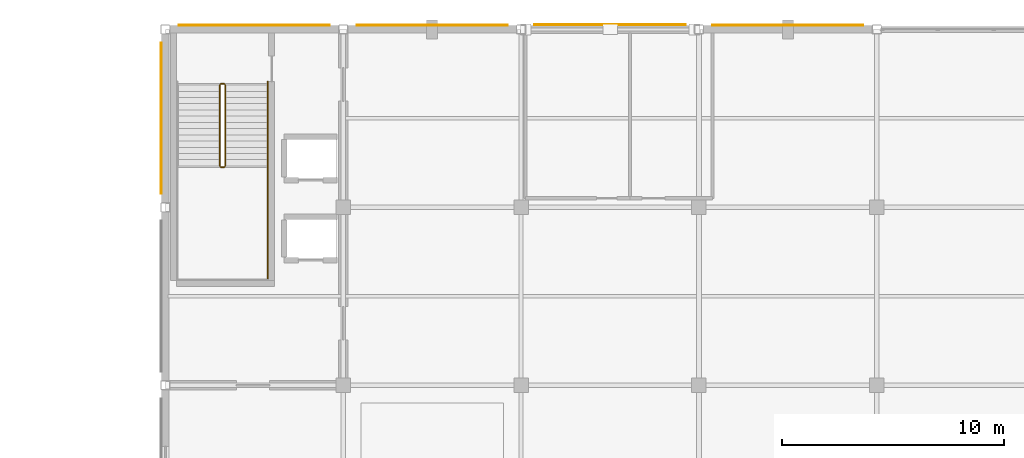
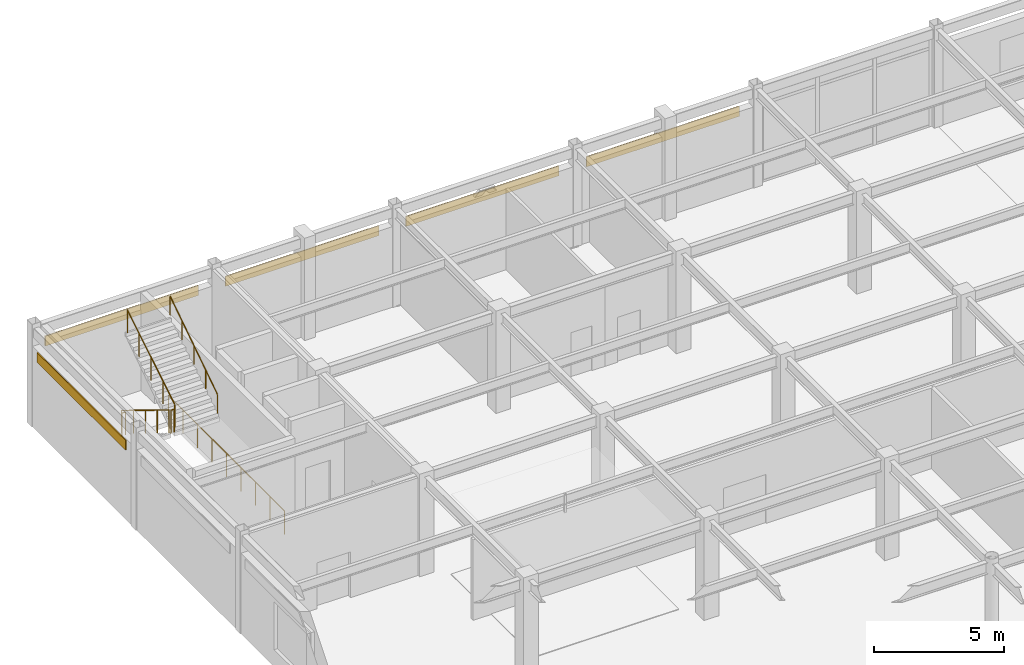
# One storey, part 110 of 117: 6 railings, 5 coverings.
"""IFC4 building model written with IfcOpenShell, lengths in metres."""

import ifcopenshell
import ifcopenshell.guid

model = None  # the IFC model being written
_history = None  # IfcOwnerHistory: only IFC2X3 demands one
_inside = {}  # id of a spatial element -> (the spatial element, [elements in it])
_under = {}  # id of a project, library or spatial element -> (it, [spatial elements below it])
_declared = {}  # id of a project -> (the project, [libraries it declares])
_typed = {}  # id of a type object -> (the type object, [elements of that type])
_made_of = {}  # id of a material, layer set ... -> (it, [elements and type objects made of it])


def new_model(schema):
    """Start an empty IFC model of exactly this schema.

    Asked for "IFC4X3", IfcOpenShell would pick the latest addendum, in which some entities
    have other attributes; the version numbers below select the first issue.
    IFC2X3 requires an IfcOwnerHistory on every rooted entity: one is made here for all.
    """
    global model, _history
    if schema == "IFC4X3":
        model = ifcopenshell.file(schema_version=(4, 3, 0, 0))
    else:
        model = ifcopenshell.file(schema=schema)
    _inside.clear()
    _under.clear()
    _declared.clear()
    _typed.clear()
    _made_of.clear()
    _history = None
    if model.schema == "IFC2X3":
        org = make("IfcOrganization", Name="unknown")
        user = make(
            "IfcPersonAndOrganization",
            ThePerson=make("IfcPerson", FamilyName="unknown"),
            TheOrganization=org,
        )
        app = make(
            "IfcApplication",
            ApplicationDeveloper=org,
            Version="unknown",
            ApplicationFullName="unknown",
            ApplicationIdentifier="unknown",
        )
        _history = make(
            "IfcOwnerHistory",
            OwningUser=user,
            OwningApplication=app,
            ChangeAction="ADDED",
            CreationDate=0,
        )
    return model


def make(cls, **values):
    """One entity of the class cls with the attributes given. An attribute that is None is left unset."""
    return model.create_entity(
        cls, **{name: value for name, value in values.items() if value is not None}
    )


def rooted(cls, **values):
    """An entity with a GlobalId (a new one), such as an element, a storey or a relation."""
    return make(cls, GlobalId=ifcopenshell.guid.new(), OwnerHistory=_history, **values)


def si_unit(unit_type, name, prefix=None):
    """IfcSIUnit, for example si_unit("LENGTHUNIT", "METRE", prefix="MILLI")."""
    return make("IfcSIUnit", UnitType=unit_type, Prefix=prefix, Name=name)


def assignment(units):
    """IfcUnitAssignment: the units of a project."""
    return None if units is None else make("IfcUnitAssignment", Units=units)


def point(xyz):
    """IfcCartesianPoint."""
    return None if xyz is None else make("IfcCartesianPoint", Coordinates=xyz)


def direction(xyz):
    """IfcDirection."""
    return None if xyz is None else make("IfcDirection", DirectionRatios=xyz)


def frame(location, z_axis=None, x_axis=None):
    """IfcAxis2Placement3D, a coordinate frame: its origin and axes. An axis left out is left unset."""
    return make(
        "IfcAxis2Placement3D",
        Location=point(location),
        Axis=direction(z_axis),
        RefDirection=direction(x_axis),
    )


def frame_2d(location, x_axis=None):
    """IfcAxis2Placement2D, a coordinate frame in the plane: its origin and x axis."""
    return make(
        "IfcAxis2Placement2D", Location=point(location), RefDirection=direction(x_axis)
    )


def origin():
    """The frame at (0, 0, 0) with its axes left unset."""
    return frame((0.0, 0.0, 0.0))


def origin_2d():
    """The frame at (0, 0) in the plane with its x axis left unset."""
    return frame_2d((0.0, 0.0))


def place(relative_to, where):
    """IfcLocalPlacement: puts the frame where relative to a parent placement (None: the world)."""
    return make(
        "IfcLocalPlacement", PlacementRelTo=relative_to, RelativePlacement=where
    )


def context(
    kind, dimensions, precision=None, world=None, true_north=None, identifier=None
):
    """IfcGeometricRepresentationContext, for example the 3D "Model" context."""
    return make(
        "IfcGeometricRepresentationContext",
        ContextIdentifier=identifier,
        ContextType=kind,
        CoordinateSpaceDimension=dimensions,
        Precision=precision,
        WorldCoordinateSystem=world,
        TrueNorth=true_north,
    )


def subcontext(parent, identifier, kind, view, scale=None):
    """IfcGeometricRepresentationSubContext, for example "Body" below "Model"."""
    return make(
        "IfcGeometricRepresentationSubContext",
        ContextIdentifier=identifier,
        ContextType=kind,
        ParentContext=parent,
        TargetScale=scale,
        TargetView=view,
    )


def project(units=None, contexts=None):
    """IfcProject with its units and contexts."""
    return rooted(
        "IfcProject",
        Name="project",
        RepresentationContexts=contexts,
        UnitsInContext=assignment(units),
    )


def spatial(cls, under=None, at=None, **own):
    """A site, building, storey or space (cls), placed at a placement, below another one or the project."""
    s = rooted(cls, ObjectPlacement=at, **own)
    if under is not None:
        _under.setdefault(under.id(), (under, []))[1].append(s)
    return s


def profile(cls, at=None, kind="AREA", **sizes):
    """A parametric profile (cls). Its sizes go by their IFC names, for example OverallWidth=200.0."""
    return make(cls, ProfileType=kind, Position=at, **sizes)


def rectangle(**sizes):
    """IfcRectangleProfileDef."""
    return profile("IfcRectangleProfileDef", **sizes)


def circle(**sizes):
    """IfcCircleProfileDef."""
    return profile("IfcCircleProfileDef", **sizes)


def extrude(swept, where, along, depth):
    """IfcExtrudedAreaSolid: the profile swept, set in the frame where, extruded along a direction by depth."""
    return make(
        "IfcExtrudedAreaSolid",
        SweptArea=swept,
        Position=where,
        ExtrudedDirection=direction(along),
        Depth=depth,
    )


def shape(context_of_items, identifier, shape_type, items):
    """IfcShapeRepresentation: the items that make up one representation, for example the "Body"."""
    return make(
        "IfcShapeRepresentation",
        ContextOfItems=context_of_items,
        RepresentationIdentifier=identifier,
        RepresentationType=shape_type,
        Items=items,
    )


def material(Name=None, Category=None):
    """IfcMaterial."""
    return make("IfcMaterial", Name=Name, Category=Category)


def layer(
    of_material, thickness, ventilated=None, Name=None, Category=None, Priority=None
):
    """IfcMaterialLayer: one layer of a wall or slab, of a material (None: an air gap)."""
    return make(
        "IfcMaterialLayer",
        Material=of_material,
        LayerThickness=thickness,
        IsVentilated=ventilated,
        Name=Name,
        Category=Category,
        Priority=Priority,
    )


def layer_set(layers, Name=None):
    """IfcMaterialLayerSet."""
    return make("IfcMaterialLayerSet", MaterialLayers=layers, LayerSetName=Name)


def made_of(thing, what):
    """Note that an element or type object is made of a material, layer set ...; save() writes the relation."""
    if what is not None:
        _made_of.setdefault(what.id(), (what, []))[1].append(thing)
    return thing


def type_object(cls, material=None, **own):
    """A type object (cls), such as IfcWallType, which elements share."""
    return made_of(rooted(cls, **own), material)


def element(
    cls,
    number,
    at=None,
    inside=None,
    cuts=None,
    type_object=None,
    material=None,
    context=None,
    identifier="Body",
    shape_type=None,
    held_by="IfcProductDefinitionShape",
    body=None,
    shapes=None,
    **own,
):
    """One element of the class cls, such as IfcWall. Its Tag is "e" and its number.

    at: its placement. inside: the storey or other place that contains it. cuts: it is an
    opening in that element (IfcRelVoidsElement). A single representation is given by context,
    identifier, shape_type and body (its items); several are given by shapes. held_by: the class
    of the entity that holds the representations. save() writes the other relations.
    """
    e = rooted(cls, Tag="e%d" % number, ObjectPlacement=at, **own)
    if body is not None:
        shapes = [shape(context, identifier, shape_type, body)]
    if shapes is not None:
        e.Representation = make(held_by, Representations=shapes)
    if inside is not None:
        _inside.setdefault(inside.id(), (inside, []))[1].append(e)
    if cuts is not None:
        rooted(
            "IfcRelVoidsElement", RelatingBuildingElement=cuts, RelatedOpeningElement=e
        )
    if type_object is not None:
        _typed.setdefault(type_object.id(), (type_object, []))[1].append(e)
    return made_of(e, material)


def aggregate(whole, parts):
    """IfcRelAggregates: a whole, such as a stair, and the parts it consists of."""
    return rooted("IfcRelAggregates", RelatingObject=whole, RelatedObjects=parts)


def save(model, path):
    """Write the relations noted so far, then the file.

    IfcRelAggregates (storeys below a building ...), IfcRelContainedInSpatialStructure (elements
    in a storey), IfcRelDefinesByType, IfcRelAssociatesMaterial and IfcRelDeclares: one each for
    every whole, place, type object, material and project.
    """
    for whole, parts in _under.values():
        aggregate(whole, parts)
    for where, things in _inside.values():
        rooted(
            "IfcRelContainedInSpatialStructure",
            RelatedElements=things,
            RelatingStructure=where,
        )
    for kind, things in _typed.values():
        rooted("IfcRelDefinesByType", RelatedObjects=things, RelatingType=kind)
    for what, things in _made_of.values():
        rooted("IfcRelAssociatesMaterial", RelatedObjects=things, RelatingMaterial=what)
    for by, libraries in _declared.values():
        rooted("IfcRelDeclares", RelatingContext=by, RelatedDefinitions=libraries)
    model.write(path)


model = new_model("IFC4")

# Units and contexts
model_context = context("Model", 3, precision=1e-05, world=origin(), true_north=direction((0.0, 1.0)))
body_context = subcontext(model_context, "Body", "Model", "MODEL_VIEW")
ifc_project = project(units=[si_unit("LENGTHUNIT", "METRE"), si_unit("AREAUNIT", "SQUARE_METRE"), si_unit("VOLUMEUNIT", "CUBIC_METRE"), si_unit("PLANEANGLEUNIT", "RADIAN"), si_unit("MASSUNIT", "GRAM", prefix="KILO")], contexts=[model_context])

# Site, building, storey
site_placement = place(None, origin())
site = spatial("IfcSite", under=ifc_project, at=site_placement, CompositionType="ELEMENT")
building_placement = place(site_placement, origin())
building = spatial("IfcBuilding", under=site, at=building_placement, Name="Solmirada Galleria", CompositionType="ELEMENT")
storey_placement = place(building_placement, frame((0.0, 0.0, 5.60009765625)))
storey = spatial("IfcBuildingStorey", under=building, at=storey_placement, Name="L01", CompositionType="ELEMENT", Elevation=5.60009765625)

# Coverings
ifc_material_1 = material(Name="Limestone cladding panels", Category="masonry")
ifc_layer = layer(ifc_material_1, 0.044921875)
ifc_layer_set = layer_set([ifc_layer], Name="Limestone cladding panels")
covering_type = type_object("IfcCoveringType", Name="COV-CLAD-LIME", PredefinedType="CLADDING", material=ifc_layer_set)
for number, where, z_axis, x_axis, name in (
    (1, (39.8076171875, 116.0, 3.2900390625), (0.0, 0.0, 1.0), (0.0, 1.0, 0.0), "Postmodern facade cladding L01-070"),
    (2, (44.0, 120.1923828125, 3.2900390625), (0.0, 0.0, 1.0), (1.0, 0.0, 0.0), "Postmodern facade cladding L01-071"),
    (3, (52.0, 120.1923828125, 3.2900390625), (0.0, 0.0, 1.0), (1.0, 0.0, 0.0), "Postmodern facade cladding L01-072"),
    (4, (60.0, 120.202392578125, 3.2900390625), (0.0, 0.0, 1.0), (1.0, 0.0, 0.0), "Postmodern facade cladding L01-073"),
    (5, (68.0, 120.1923828125, 3.2900390625), (0.0, 0.0, 1.0), (1.0, 0.0, 0.0), "Postmodern facade cladding L01-074"),
):
    element("IfcCovering", number, at=place(storey_placement, frame(where, z_axis=z_axis, x_axis=x_axis)), inside=storey, type_object=covering_type, Name=name, PredefinedType="CLADDING", context=body_context, shape_type="SweptSolid", body=[
        extrude(rectangle(XDim=6.7939453125, YDim=0.044921875, at=origin_2d()), origin(), (0.0, 0.0, 1.0), 0.4599609375),
    ])

# Railings
ifc_material_2 = material(Name="Painted steel tubular railing", Category="steel")
railing_type_1 = type_object("IfcRailingType", Name="RAIL-STAIR-GUARD", PredefinedType="GUARDRAIL", material=ifc_material_2)
railing_1_placement = place(storey_placement, frame((42.449951171875, 117.5, 0.17138671875)))
element("IfcRailing", 6, at=railing_1_placement, inside=storey, type_object=railing_type_1, Name="L01 ST1 stair guard 1", PredefinedType="GUARDRAIL", context=body_context, shape_type="SweptSolid", body=[
    extrude(circle(Radius=0.02392578125, at=origin_2d()), frame((0.0, 0.0, 1.076171875), z_axis=(0.0, -0.852850264322, 0.5221555579), x_axis=(1.0, 0.0, 0.0)), (0.0, 0.0, 1.0), 4.267822265625),
    extrude(circle(Radius=0.02099609375, at=origin_2d()), origin(), (0.0, 0.0, 1.0), 1.048095703125),
    extrude(circle(Radius=0.02099609375, at=origin_2d()), frame((0.0, -0.909912109375, 0.55712890625)), (0.0, 0.0, 1.0), 1.048095703125),
    extrude(circle(Radius=0.02099609375, at=origin_2d()), frame((0.0, -1.81982421875, 1.1142578125)), (0.0, 0.0, 1.0), 1.048095703125),
    extrude(circle(Radius=0.02099609375, at=origin_2d()), frame((0.0, -2.72998046875, 1.67138671875)), (0.0, 0.0, 1.0), 1.048095703125),
    extrude(circle(Radius=0.02099609375, at=origin_2d()), frame((0.0, -3.639892578125, 2.228515625)), (0.0, 0.0, 1.0), 1.048095703125),
])
railing_2_placement = place(storey_placement, frame((42.5, 113.81005859375, 2.39990234375)))
element("IfcRailing", 7, at=railing_2_placement, inside=storey, type_object=railing_type_1, Name="L01 ST1 stair guard 2", PredefinedType="GUARDRAIL", context=body_context, shape_type="SweptSolid", body=[
    extrude(circle(Radius=0.02392578125, at=origin_2d()), frame((0.0, 0.0, 1.076171875), z_axis=(1.0, 0.0, 0.0), x_axis=(0.0, 1.0, 0.0)), (0.0, 0.0, 1.0), 0.14990234375),
    extrude(circle(Radius=0.02099609375, at=origin_2d()), origin(), (0.0, 0.0, 1.0), 1.048095703125),
    extrude(circle(Radius=0.02099609375, at=origin_2d()), frame((0.14990234375, 0.0, 0.0)), (0.0, 0.0, 1.0), 1.048095703125),
])
railing_3_placement = place(storey_placement, frame((42.699951171875, 113.860107421875, 2.5712890625)))
element("IfcRailing", 8, at=railing_3_placement, inside=storey, type_object=railing_type_1, Name="L01 ST1 stair guard 3", PredefinedType="GUARDRAIL", context=body_context, shape_type="SweptSolid", body=[
    extrude(circle(Radius=0.02392578125, at=origin_2d()), frame((0.0, 0.0, 1.076171875), z_axis=(0.0, 0.852850264322, 0.5221555579), x_axis=(-1.0, 0.0, 0.0)), (0.0, 0.0, 1.0), 4.267822265625),
    extrude(circle(Radius=0.02099609375, at=origin_2d()), origin(), (0.0, 0.0, 1.0), 1.048095703125),
    extrude(circle(Radius=0.02099609375, at=origin_2d()), frame((0.0, 0.909912109375, 0.55712890625)), (0.0, 0.0, 1.0), 1.048095703125),
    extrude(circle(Radius=0.02099609375, at=origin_2d()), frame((0.0, 1.81982421875, 1.1142578125)), (0.0, 0.0, 1.0), 1.048095703125),
    extrude(circle(Radius=0.02099609375, at=origin_2d()), frame((0.0, 2.72998046875, 1.67138671875)), (0.0, 0.0, 1.0), 1.048095703125),
    extrude(circle(Radius=0.02099609375, at=origin_2d()), frame((0.0, 3.639892578125, 2.228515625)), (0.0, 0.0, 1.0), 1.048095703125),
])
railing_4_placement = place(storey_placement, frame((42.5, 117.550048828125, 0.0)))
element("IfcRailing", 9, at=railing_4_placement, inside=storey, type_object=railing_type_1, Name="L01 ST1 stair guard 4", PredefinedType="GUARDRAIL", context=body_context, shape_type="SweptSolid", body=[
    extrude(circle(Radius=0.02392578125, at=origin_2d()), frame((0.0, 0.0, 1.076171875), z_axis=(1.0, 0.0, 0.0), x_axis=(0.0, 1.0, 0.0)), (0.0, 0.0, 1.0), 0.14990234375),
    extrude(circle(Radius=0.02099609375, at=origin_2d()), origin(), (0.0, 0.0, 1.0), 1.048095703125),
    extrude(circle(Radius=0.02099609375, at=origin_2d()), frame((0.14990234375, 0.0, 0.0)), (0.0, 0.0, 1.0), 1.048095703125),
])
railing_5_placement = place(storey_placement, frame((44.610107421875, 117.64990234375, 0.0)))
element("IfcRailing", 10, at=railing_5_placement, inside=storey, type_object=railing_type_1, Name="Stair ST1 well edge guard L01-1", PredefinedType="GUARDRAIL", context=body_context, shape_type="SweptSolid", body=[
    extrude(circle(Radius=0.02392578125, at=origin_2d()), frame((0.0, 0.0, 1.09619140625), z_axis=(0.0, -1.0, 0.0), x_axis=(1.0, 0.0, 0.0)), (0.0, 0.0, 1.0), 8.909912109375),
    extrude(circle(Radius=0.02099609375, at=origin_2d()), origin(), (0.0, 0.0, 1.0), 1.068115234375),
    extrude(circle(Radius=0.02099609375, at=origin_2d()), frame((0.0, -1.11376953125, 0.0)), (0.0, 0.0, 1.0), 1.068115234375),
    extrude(circle(Radius=0.02099609375, at=origin_2d()), frame((0.0, -2.2275390625, 0.0)), (0.0, 0.0, 1.0), 1.068115234375),
    extrude(circle(Radius=0.02099609375, at=origin_2d()), frame((0.0, -3.34130859375, 0.0)), (0.0, 0.0, 1.0), 1.068115234375),
    extrude(circle(Radius=0.02099609375, at=origin_2d()), frame((0.0, -4.455078125, 0.0)), (0.0, 0.0, 1.0), 1.068115234375),
    extrude(circle(Radius=0.02099609375, at=origin_2d()), frame((0.0, -5.568603515625, 0.0)), (0.0, 0.0, 1.0), 1.068115234375),
    extrude(circle(Radius=0.02099609375, at=origin_2d()), frame((0.0, -6.682373046875, 0.0)), (0.0, 0.0, 1.0), 1.068115234375),
    extrude(circle(Radius=0.02099609375, at=origin_2d()), frame((0.0, -7.796142578125, 0.0)), (0.0, 0.0, 1.0), 1.068115234375),
    extrude(circle(Radius=0.02099609375, at=origin_2d()), frame((0.0, -8.909912109375, 0.0)), (0.0, 0.0, 1.0), 1.068115234375),
])
railing_type_2 = type_object("IfcRailingType", Name="RAIL-STAIR-HAND", PredefinedType="HANDRAIL", material=ifc_material_2)
railing_6_placement = place(storey_placement, frame((44.60009765625, 113.860107421875, 2.5712890625)))
element("IfcRailing", 11, at=railing_6_placement, inside=storey, type_object=railing_type_2, Name="L01 ST1 stair handrail 2", PredefinedType="HANDRAIL", context=body_context, shape_type="SweptSolid", body=[
    extrude(circle(Radius=0.02392578125, at=origin_2d()), frame((0.0, 0.0, 0.8759765625), z_axis=(0.0, 0.834839479206, 0.550493454965), x_axis=(-1.0, 0.0, 0.0)), (0.0, 0.0, 1.0), 4.360107421875),
    extrude(circle(Radius=0.02099609375, at=origin_2d()), origin(), (0.0, 0.0, 1.0), 0.847900390625),
    extrude(circle(Radius=0.02099609375, at=origin_2d()), frame((0.0, 0.909912109375, 0.60009765625)), (0.0, 0.0, 1.0), 0.847900390625),
    extrude(circle(Radius=0.02099609375, at=origin_2d()), frame((0.0, 1.81982421875, 1.2001953125)), (0.0, 0.0, 1.0), 0.847900390625),
    extrude(circle(Radius=0.02099609375, at=origin_2d()), frame((0.0, 2.72998046875, 1.800048828125)), (0.0, 0.0, 1.0), 0.847900390625),
    extrude(circle(Radius=0.02099609375, at=origin_2d()), frame((0.0, 3.639892578125, 2.400146484375)), (0.0, 0.0, 1.0), 0.847900390625),
])

save(model, "model.ifc")
